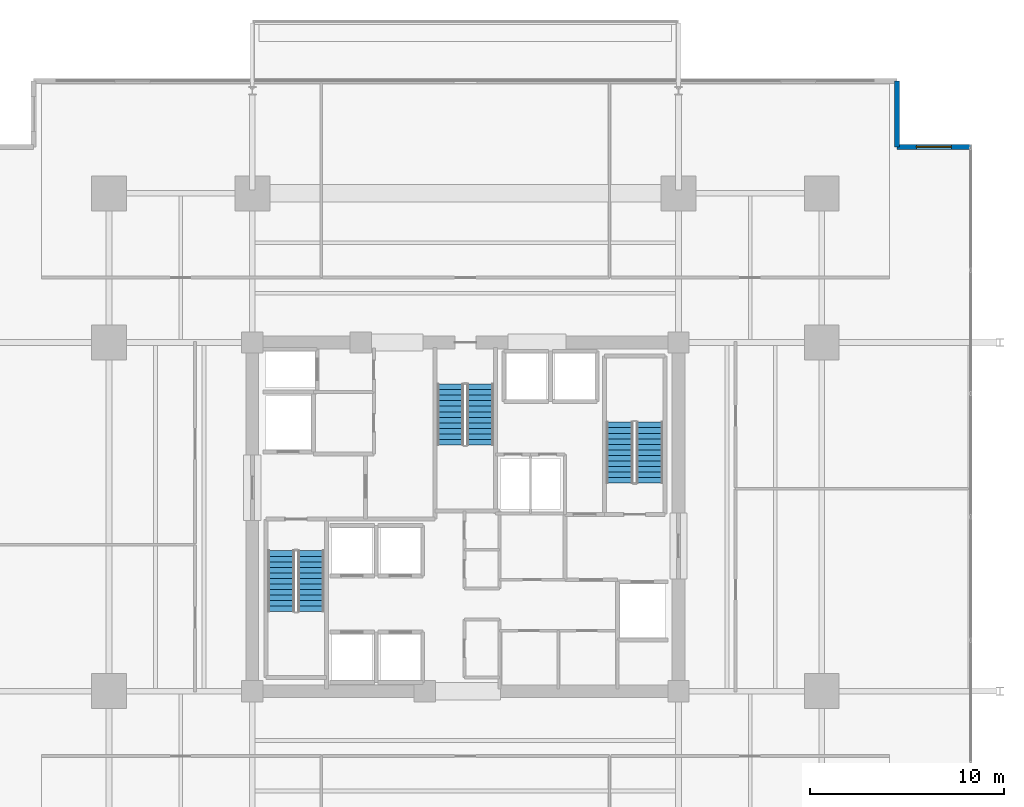
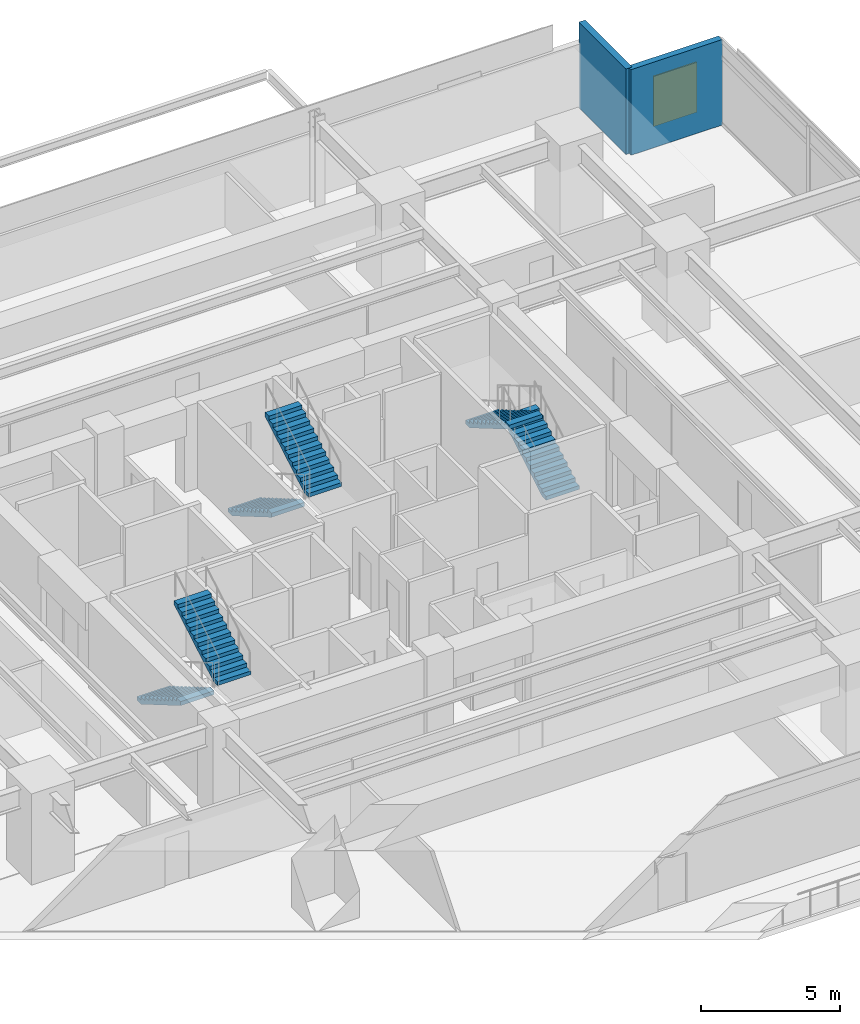
# One storey, part 18 of 22: 6 stair flights, 2 walls, 1 window, 1 opening, 3 elements without a shape of their own.
"""IFC4 building model written with IfcOpenShell, lengths in metres."""

from ifc_helpers import new_model, si_unit, direction, frame, frame_2d, origin, place, context, subcontext, project, spatial, polyline, rectangle, outline, extrude, material, layer, layer_set, type_object, element, fill, aggregate, save


model = new_model("IFC4")

# Units and contexts
model_context = context("Model", 3, precision=1e-05, world=origin(), true_north=direction((0.0, 1.0)))
body_context = subcontext(model_context, "Body", "Model", "MODEL_VIEW")
ifc_project = project(units=[si_unit("LENGTHUNIT", "METRE"), si_unit("AREAUNIT", "SQUARE_METRE"), si_unit("VOLUMEUNIT", "CUBIC_METRE"), si_unit("PLANEANGLEUNIT", "RADIAN"), si_unit("MASSUNIT", "GRAM", prefix="KILO")], contexts=[model_context])

# Site, building, storey
site_placement = place(None, origin())
site = spatial("IfcSite", under=ifc_project, at=site_placement, CompositionType="ELEMENT")
building_placement = place(site_placement, origin())
building = spatial("IfcBuilding", under=site, at=building_placement, Name="Kovane Verandah Tower", CompositionType="ELEMENT")
storey_placement = place(building_placement, frame((0.0, 0.0, 71.60009765625)))
storey = spatial("IfcBuildingStorey", under=building, at=storey_placement, Name="L16", CompositionType="ELEMENT", Elevation=71.60009765625)

# Wall, opening, window
ifc_material_1 = material(Name="Concrete C45/55 Insulated Spandrel Wall", Category="concrete")
ifc_layer = layer(ifc_material_1, 0.260009765625)
ifc_layer_set = layer_set([ifc_layer], Name="Concrete C45/55 Insulated Spandrel Wall")
wall_type = type_object("IfcWallType", Name="WL-SPANDREL-260", PredefinedType="PARAPET", material=ifc_layer_set)
wall_1_placement = place(storey_placement, frame((66.08642578125, 46.6005859375, 0.0), z_axis=(0.0, 0.0, 1.0), x_axis=(-1.0, 0.0, 0.0)))
wall_1 = element("IfcWall", 1, at=wall_1_placement, inside=storey, type_object=wall_type, Name="L16 NE Notch Cheek Wall 1", PredefinedType="PARAPET", context=body_context, shape_type="SweptSolid", body=[
    extrude(rectangle(XDim=3.800048828125, YDim=0.260009765625, at=frame_2d((1.89990234375, 0.0))), origin(), (0.0, 0.0, 1.0), 3.760009765625),
])
opening_placement = place(wall_1_placement, frame((1.0, 0.0, 0.85009765625)))
opening = element("IfcOpeningElement", 2, at=opening_placement, cuts=wall_1, Name="Opening W-03", PredefinedType="OPENING", context=body_context, shape_type="SweptSolid", body=[
    extrude(rectangle(XDim=1.800048828125, YDim=2.199951171875, at=frame_2d((0.89990234375, 1.10009765625))), frame((0.0, 0.1298828125, 0.0), z_axis=(0.0, -1.0, 0.0), x_axis=(1.0, 0.0, 0.0)), (0.0, 0.0, 1.0), 0.260009765625),
])
ifc_material_2 = material(Name="Clear Low-E Laminated Double Glazing in Anodised Frame", Category="glass")
window_type = type_object("IfcWindowType", Name="WN-NOTCH-1800x2200", PartitioningType="SINGLE_PANEL", PredefinedType="WINDOW", material=ifc_material_2)
window_placement = place(opening_placement, origin())
window = element("IfcWindow", 3, at=window_placement, inside=storey, type_object=window_type, Name="L16 NE Re-Entrant Corner Operable Window", OverallHeight=2.199951171875, OverallWidth=1.800048828125, PartitioningType="SINGLE_PANEL", PredefinedType="WINDOW", context=body_context, shape_type="SweptSolid", body=[
    extrude(rectangle(XDim=1.800048828125, YDim=2.199951171875, at=frame_2d((0.89990234375, 1.10009765625))), frame((0.0, 0.030029296875, 0.0), z_axis=(0.0, -1.0, 0.0), x_axis=(1.0, 0.0, 0.0)), (0.0, 0.0, 1.0), 0.06005859375),
])
fill(opening, window)

# Wall
wall_2_placement = place(storey_placement, frame((62.286376953125, 46.6005859375, 0.0), z_axis=(0.0, 0.0, 1.0), x_axis=(0.0, 1.0, 0.0)))
element("IfcWall", 4, at=wall_2_placement, inside=storey, type_object=wall_type, Name="L16 NE Notch Cheek Wall 2", PredefinedType="PARAPET", context=body_context, shape_type="SweptSolid", body=[
    extrude(rectangle(XDim=3.39990234375, YDim=0.260009765625, at=frame_2d((1.699951171875, 0.0))), origin(), (0.0, 0.0, 1.0), 3.760009765625),
])

# Stair, stair flights
ifc_material_3 = material(Name="Concrete C45/55", Category="concrete")
stair_type = type_object("IfcStairType", Name="ST-CORE-1380", PredefinedType="HALF_TURN_STAIR", material=ifc_material_3)
stair_1_placement = place(storey_placement, origin())
stair_1 = element("IfcStair", 5, at=stair_1_placement, inside=storey, type_object=stair_type, Name="L16 Exit Stair ST-01", PredefinedType="HALF_TURN_STAIR")
stair_flight_type = type_object("IfcStairFlightType", Name="STF-CORE-1380", PredefinedType="STRAIGHT", material=ifc_material_3)
stair_flight_1_placement = place(storey_placement, frame((30.489990234375, 25.75, 0.0), z_axis=(0.0, 0.0, 1.0), x_axis=(0.0, -1.0, 0.0)))
stair_flight_1 = element("IfcStairFlight", 6, at=stair_flight_1_placement, type_object=stair_flight_type, Name="ST-01 flight 1", NumberOfRisers=12, NumberOfTreads=11, PredefinedType="STRAIGHT", RiserHeight=0.166666667, TreadLength=0.285, context=body_context, shape_type="SweptSolid", body=[
    extrude(outline(polyline([(0.0, 0.0), (0.0, 0.166748046875), (0.284912109375, 0.166748046875), (0.284912109375, 0.333251953125), (0.570068359375, 0.333251953125), (0.570068359375, 0.5), (0.85498046875, 0.5), (0.85498046875, 0.666748046875), (1.139892578125, 0.666748046875), (1.139892578125, 0.833251953125), (1.425048828125, 0.833251953125), (1.425048828125, 1.0), (1.7099609375, 1.0), (1.7099609375, 1.166748046875), (1.9951171875, 1.166748046875), (1.9951171875, 1.333251953125), (2.280029296875, 1.333251953125), (2.280029296875, 1.5), (2.56494140625, 1.5), (2.56494140625, 1.666748046875), (2.85009765625, 1.666748046875), (2.85009765625, 1.833251953125), (3.135009765625, 1.833251953125), (3.135009765625, 2.0), (3.135009765625, 1.65966796875), (0.296875, 0.0), (0.0, 0.0)])), frame((0.0, 0.68994140625, 0.0), z_axis=(0.0, -1.0, 0.0), x_axis=(1.0, 0.0, 0.0)), (0.0, 0.0, 1.0), 1.3798828125),
])
stair_flight_2_placement = place(storey_placement, frame((32.030029296875, 22.614990234375, 2.0), z_axis=(0.0, 0.0, 1.0), x_axis=(0.0, 1.0, 0.0)))
stair_flight_2 = element("IfcStairFlight", 7, at=stair_flight_2_placement, type_object=stair_flight_type, Name="ST-01 flight 2", NumberOfRisers=12, NumberOfTreads=11, PredefinedType="STRAIGHT", RiserHeight=0.166666667, TreadLength=0.285, context=body_context, shape_type="SweptSolid", body=[
    extrude(outline(polyline([(0.0, 0.0), (0.0, 0.166748046875), (0.284912109375, 0.166748046875), (0.284912109375, 0.333251953125), (0.570068359375, 0.333251953125), (0.570068359375, 0.5), (0.85498046875, 0.5), (0.85498046875, 0.666748046875), (1.139892578125, 0.666748046875), (1.139892578125, 0.833251953125), (1.425048828125, 0.833251953125), (1.425048828125, 1.0), (1.7099609375, 1.0), (1.7099609375, 1.166748046875), (1.9951171875, 1.166748046875), (1.9951171875, 1.333251953125), (2.280029296875, 1.333251953125), (2.280029296875, 1.5), (2.56494140625, 1.5), (2.56494140625, 1.666748046875), (2.85009765625, 1.666748046875), (2.85009765625, 1.833251953125), (3.135009765625, 1.833251953125), (3.135009765625, 2.0), (3.135009765625, 1.65966796875), (0.296875, 0.0), (0.0, 0.0)])), frame((0.0, 0.68994140625, 0.0), z_axis=(0.0, -1.0, 0.0), x_axis=(1.0, 0.0, 0.0)), (0.0, 0.0, 1.0), 1.3798828125),
])
aggregate(stair_1, [stair_flight_1, stair_flight_2])

stair_2_placement = place(storey_placement, origin())
stair_2 = element("IfcStair", 8, at=stair_2_placement, inside=storey, type_object=stair_type, Name="L16 Exit Stair ST-02", PredefinedType="HALF_TURN_STAIR")
stair_flight_3_placement = place(storey_placement, frame((49.510009765625, 29.25, 0.0), z_axis=(0.0, 0.0, 1.0), x_axis=(0.0, 1.0, 0.0)))
stair_flight_3 = element("IfcStairFlight", 9, at=stair_flight_3_placement, type_object=stair_flight_type, Name="ST-02 flight 1", NumberOfRisers=12, NumberOfTreads=11, PredefinedType="STRAIGHT", RiserHeight=0.166666667, TreadLength=0.285, context=body_context, shape_type="SweptSolid", body=[
    extrude(outline(polyline([(0.0, 0.0), (0.0, 0.166748046875), (0.284912109375, 0.166748046875), (0.284912109375, 0.333251953125), (0.570068359375, 0.333251953125), (0.570068359375, 0.5), (0.85498046875, 0.5), (0.85498046875, 0.666748046875), (1.139892578125, 0.666748046875), (1.139892578125, 0.833251953125), (1.425048828125, 0.833251953125), (1.425048828125, 1.0), (1.7099609375, 1.0), (1.7099609375, 1.166748046875), (1.9951171875, 1.166748046875), (1.9951171875, 1.333251953125), (2.280029296875, 1.333251953125), (2.280029296875, 1.5), (2.56494140625, 1.5), (2.56494140625, 1.666748046875), (2.85009765625, 1.666748046875), (2.85009765625, 1.833251953125), (3.135009765625, 1.833251953125), (3.135009765625, 2.0), (3.135009765625, 1.65966796875), (0.296875, 0.0), (0.0, 0.0)])), frame((0.0, 0.68994140625, 0.0), z_axis=(0.0, -1.0, 0.0), x_axis=(1.0, 0.0, 0.0)), (0.0, 0.0, 1.0), 1.3798828125),
])
stair_flight_4_placement = place(storey_placement, frame((47.969970703125, 32.385009765625, 2.0), z_axis=(0.0, 0.0, 1.0), x_axis=(0.0, -1.0, 0.0)))
stair_flight_4 = element("IfcStairFlight", 10, at=stair_flight_4_placement, type_object=stair_flight_type, Name="ST-02 flight 2", NumberOfRisers=12, NumberOfTreads=11, PredefinedType="STRAIGHT", RiserHeight=0.166666667, TreadLength=0.285, context=body_context, shape_type="SweptSolid", body=[
    extrude(outline(polyline([(0.0, 0.0), (0.0, 0.166748046875), (0.284912109375, 0.166748046875), (0.284912109375, 0.333251953125), (0.570068359375, 0.333251953125), (0.570068359375, 0.5), (0.85498046875, 0.5), (0.85498046875, 0.666748046875), (1.139892578125, 0.666748046875), (1.139892578125, 0.833251953125), (1.425048828125, 0.833251953125), (1.425048828125, 1.0), (1.7099609375, 1.0), (1.7099609375, 1.166748046875), (1.9951171875, 1.166748046875), (1.9951171875, 1.333251953125), (2.280029296875, 1.333251953125), (2.280029296875, 1.5), (2.56494140625, 1.5), (2.56494140625, 1.666748046875), (2.85009765625, 1.666748046875), (2.85009765625, 1.833251953125), (3.135009765625, 1.833251953125), (3.135009765625, 2.0), (3.135009765625, 1.65966796875), (0.296875, 0.0), (0.0, 0.0)])), frame((0.0, 0.68994140625, 0.0), z_axis=(0.0, -1.0, 0.0), x_axis=(1.0, 0.0, 0.0)), (0.0, 0.0, 1.0), 1.3798828125),
])
aggregate(stair_2, [stair_flight_3, stair_flight_4])

stair_3_placement = place(storey_placement, origin())
stair_3 = element("IfcStair", 11, at=stair_3_placement, inside=storey, type_object=stair_type, Name="L16 Exit Stair ST-03", PredefinedType="HALF_TURN_STAIR")
stair_flight_5_placement = place(storey_placement, frame((39.22998046875, 34.35009765625, 0.0), z_axis=(0.0, 0.0, 1.0), x_axis=(0.0, -1.0, 0.0)))
stair_flight_5 = element("IfcStairFlight", 12, at=stair_flight_5_placement, type_object=stair_flight_type, Name="ST-03 flight 1", NumberOfRisers=12, NumberOfTreads=11, PredefinedType="STRAIGHT", RiserHeight=0.166666667, TreadLength=0.285, context=body_context, shape_type="SweptSolid", body=[
    extrude(outline(polyline([(0.0, 0.0), (0.0, 0.166748046875), (0.284912109375, 0.166748046875), (0.284912109375, 0.333251953125), (0.570068359375, 0.333251953125), (0.570068359375, 0.5), (0.85498046875, 0.5), (0.85498046875, 0.666748046875), (1.139892578125, 0.666748046875), (1.139892578125, 0.833251953125), (1.425048828125, 0.833251953125), (1.425048828125, 1.0), (1.7099609375, 1.0), (1.7099609375, 1.166748046875), (1.9951171875, 1.166748046875), (1.9951171875, 1.333251953125), (2.280029296875, 1.333251953125), (2.280029296875, 1.5), (2.56494140625, 1.5), (2.56494140625, 1.666748046875), (2.85009765625, 1.666748046875), (2.85009765625, 1.833251953125), (3.135009765625, 1.833251953125), (3.135009765625, 2.0), (3.135009765625, 1.65966796875), (0.296875, 0.0), (0.0, 0.0)])), frame((0.0, 0.68994140625, 0.0), z_axis=(0.0, -1.0, 0.0), x_axis=(1.0, 0.0, 0.0)), (0.0, 0.0, 1.0), 1.3798828125),
])
stair_flight_6_placement = place(storey_placement, frame((40.77001953125, 31.215087890625, 2.0), z_axis=(0.0, 0.0, 1.0), x_axis=(0.0, 1.0, 0.0)))
stair_flight_6 = element("IfcStairFlight", 13, at=stair_flight_6_placement, type_object=stair_flight_type, Name="ST-03 flight 2", NumberOfRisers=12, NumberOfTreads=11, PredefinedType="STRAIGHT", RiserHeight=0.166666667, TreadLength=0.285, context=body_context, shape_type="SweptSolid", body=[
    extrude(outline(polyline([(0.0, 0.0), (0.0, 0.166748046875), (0.284912109375, 0.166748046875), (0.284912109375, 0.333251953125), (0.570068359375, 0.333251953125), (0.570068359375, 0.5), (0.85498046875, 0.5), (0.85498046875, 0.666748046875), (1.139892578125, 0.666748046875), (1.139892578125, 0.833251953125), (1.425048828125, 0.833251953125), (1.425048828125, 1.0), (1.7099609375, 1.0), (1.7099609375, 1.166748046875), (1.9951171875, 1.166748046875), (1.9951171875, 1.333251953125), (2.280029296875, 1.333251953125), (2.280029296875, 1.5), (2.56494140625, 1.5), (2.56494140625, 1.666748046875), (2.85009765625, 1.666748046875), (2.85009765625, 1.833251953125), (3.135009765625, 1.833251953125), (3.135009765625, 2.0), (3.135009765625, 1.65966796875), (0.296875, 0.0), (0.0, 0.0)])), frame((0.0, 0.68994140625, 0.0), z_axis=(0.0, -1.0, 0.0), x_axis=(1.0, 0.0, 0.0)), (0.0, 0.0, 1.0), 1.3798828125),
])
aggregate(stair_3, [stair_flight_5, stair_flight_6])

save(model, "model.ifc")
